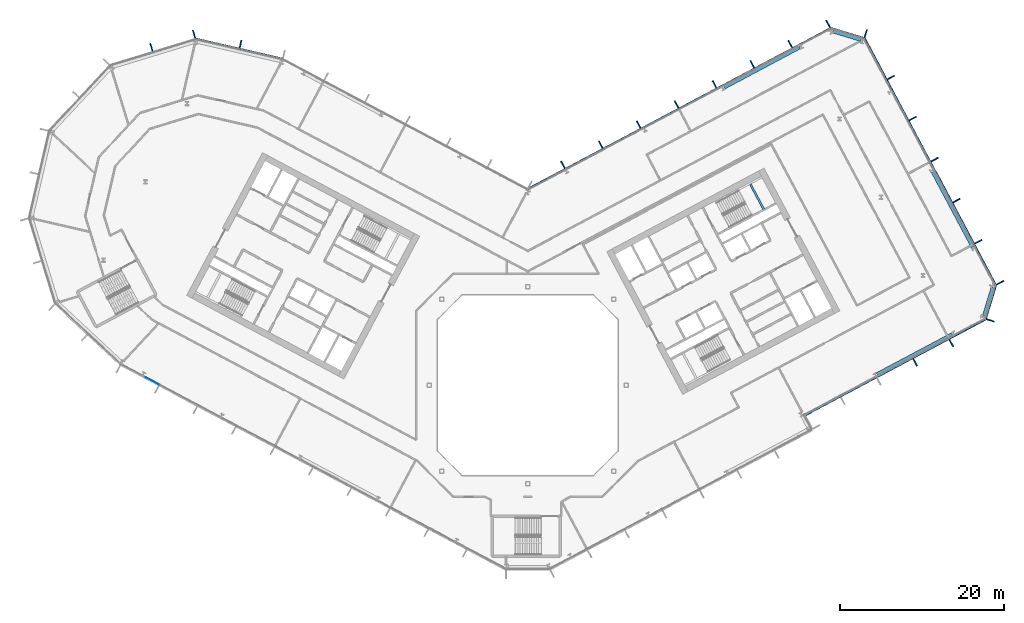
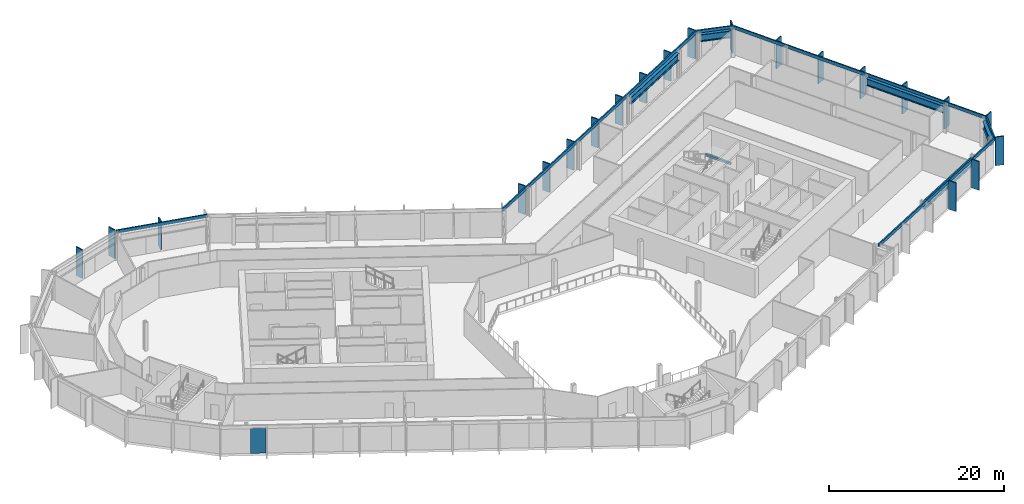
# One storey, part 10 of 28: 27 members, 6 beams, 1 plate, 8 elements without a shape of their own.
"""IFC4 building model written with IfcOpenShell, lengths in metres."""

from ifc_helpers import new_model, si_unit, direction, frame, origin, origin_2d, place, context, subcontext, project, spatial, rectangle, i_section, extrude, material, layer, layer_set, material_profile, profile_set, type_object, element, aggregate, save


model = new_model("IFC4")

# Units and contexts
model_context = context("Model", 3, precision=1e-05, world=origin(), true_north=direction((0.0, 1.0)))
body_context = subcontext(model_context, "Body", "Model", "MODEL_VIEW")
ifc_project = project(units=[si_unit("LENGTHUNIT", "METRE"), si_unit("AREAUNIT", "SQUARE_METRE"), si_unit("VOLUMEUNIT", "CUBIC_METRE"), si_unit("PLANEANGLEUNIT", "RADIAN"), si_unit("MASSUNIT", "GRAM", prefix="KILO")], contexts=[model_context])

# Site, building, storey
site_placement = place(None, origin())
site = spatial("IfcSite", under=ifc_project, at=site_placement, CompositionType="ELEMENT")
building_placement = place(site_placement, origin())
building = spatial("IfcBuilding", under=site, at=building_placement, Name="Cormorant Relay Tower", CompositionType="ELEMENT")
storey_placement = place(building_placement, frame((0.0, 0.0, 158.199951171875)))
storey = spatial("IfcBuildingStorey", under=building, at=storey_placement, Name="L33", CompositionType="ELEMENT", Elevation=158.199951171875)

# Curtain wall, members
ifc_material_1 = material(Name="Aluminium 6063-T6 anodised bronze", Category="aluminium")
ifc_layer_1 = layer(ifc_material_1, 0.199951171875)
ifc_layer_set_1 = layer_set([ifc_layer_1], Name="CW1 unitised bronze curtain wall with vertical fins")
curtain_wall_type = type_object("IfcCurtainWallType", Name="CW1 unitised bronze curtain wall with vertical fins", PredefinedType="NOTDEFINED", material=ifc_layer_set_1)
curtain_wall_1_placement = place(storey_placement, origin())
curtain_wall_1 = element("IfcCurtainWall", 1, at=curtain_wall_1_placement, inside=storey, type_object=curtain_wall_type, Name="CW1 curtain wall 4", PredefinedType="NOTDEFINED")
ifc_material_2 = material(Name="Aluminium 6063-T6 anodised bronze", Category="aluminium")
ifc_material_profile_1 = material_profile(ifc_material_2, rectangle(XDim=0.14990234375, YDim=1.0, at=origin_2d()), Name="AL 150x1000")
ifc_profile_set_1 = profile_set([ifc_material_profile_1], Name="Aluminium 6063-T6 anodised bronze")
member_type_1 = type_object("IfcMemberType", Name="CW1 bronze fin mullion 150 x 1000", PredefinedType="MULLION", material=ifc_profile_set_1)
member_1_placement = place(storey_placement, frame((47.21533203125, 2.793212890625, 0.0), z_axis=(0.0, 0.0, 1.0), x_axis=(0.882947592859, 0.469471562786, 0.0)))
member_1 = element("IfcMember", 2, at=member_1_placement, type_object=member_type_1, Name="CW1 fin 4.4", PredefinedType="MULLION", context=body_context, shape_type="SweptSolid", body=[
    extrude(rectangle(XDim=0.14990234375, YDim=1.0, at=origin_2d()), origin(), (0.0, 0.0, 1.0), 4.0),
])
member_2_placement = place(storey_placement, frame((51.630126953125, 5.140625, 0.0), z_axis=(0.0, 0.0, 1.0), x_axis=(0.882947592859, 0.469471562786, 0.0)))
member_2 = element("IfcMember", 3, at=member_2_placement, type_object=member_type_1, Name="CW1 fin 4.5", PredefinedType="MULLION", context=body_context, shape_type="SweptSolid", body=[
    extrude(rectangle(XDim=0.14990234375, YDim=1.0, at=origin_2d()), origin(), (0.0, 0.0, 1.0), 4.0),
])

# Curtain wall, member
curtain_wall_2_placement = place(storey_placement, origin())
curtain_wall_2 = element("IfcCurtainWall", 4, at=curtain_wall_2_placement, inside=storey, type_object=curtain_wall_type, Name="CW1 curtain wall 5", PredefinedType="NOTDEFINED")
member_3_placement = place(storey_placement, frame((56.385498046875, 7.9013671875, 0.0), z_axis=(0.0, 0.0, 1.0), x_axis=(0.292371704723, 0.956304755963, 0.0)))
member_3 = element("IfcMember", 5, at=member_3_placement, type_object=member_type_1, Name="CW1 fin 5.1", PredefinedType="MULLION", context=body_context, shape_type="SweptSolid", body=[
    extrude(rectangle(XDim=0.14990234375, YDim=1.0, at=origin_2d()), origin(), (0.0, 0.0, 1.0), 4.0),
])

# Curtain wall, members
curtain_wall_3_placement = place(storey_placement, origin())
curtain_wall_3 = element("IfcCurtainWall", 6, at=curtain_wall_3_placement, inside=storey, type_object=curtain_wall_type, Name="CW1 curtain wall 6", PredefinedType="NOTDEFINED")
member_4_placement = place(storey_placement, frame((57.57470703125, 12.491943359375, 0.0), z_axis=(0.0, 0.0, 1.0), x_axis=(-0.469471562786, 0.882947592859, 0.0)))
member_4 = element("IfcMember", 7, at=member_4_placement, type_object=member_type_1, Name="CW1 fin 6.1", PredefinedType="MULLION", context=body_context, shape_type="SweptSolid", body=[
    extrude(rectangle(XDim=0.14990234375, YDim=1.0, at=origin_2d()), origin(), (0.0, 0.0, 1.0), 4.0),
])
member_5_placement = place(storey_placement, frame((54.914306640625, 17.4951171875, 0.0), z_axis=(0.0, 0.0, 1.0), x_axis=(-0.469471562786, 0.882947592859, 0.0)))
member_5 = element("IfcMember", 8, at=member_5_placement, type_object=member_type_1, Name="CW1 fin 6.2", PredefinedType="MULLION", context=body_context, shape_type="SweptSolid", body=[
    extrude(rectangle(XDim=0.14990234375, YDim=1.0, at=origin_2d()), origin(), (0.0, 0.0, 1.0), 4.0),
])
member_6_placement = place(storey_placement, frame((52.25390625, 22.49853515625, 0.0), z_axis=(0.0, 0.0, 1.0), x_axis=(-0.469471562786, 0.882947592859, 0.0)))
member_6 = element("IfcMember", 9, at=member_6_placement, type_object=member_type_1, Name="CW1 fin 6.3", PredefinedType="MULLION", context=body_context, shape_type="SweptSolid", body=[
    extrude(rectangle(XDim=0.14990234375, YDim=1.0, at=origin_2d()), origin(), (0.0, 0.0, 1.0), 4.0),
])
member_7_placement = place(storey_placement, frame((49.59375, 27.501953125, 0.0), z_axis=(0.0, 0.0, 1.0), x_axis=(-0.469471562786, 0.882947592859, 0.0)))
member_7 = element("IfcMember", 10, at=member_7_placement, type_object=member_type_1, Name="CW1 fin 6.4", PredefinedType="MULLION", context=body_context, shape_type="SweptSolid", body=[
    extrude(rectangle(XDim=0.14990234375, YDim=1.0, at=origin_2d()), origin(), (0.0, 0.0, 1.0), 4.0),
])
member_8_placement = place(storey_placement, frame((46.933349609375, 32.50537109375, 0.0), z_axis=(0.0, 0.0, 1.0), x_axis=(-0.469471562786, 0.882947592859, 0.0)))
member_8 = element("IfcMember", 11, at=member_8_placement, type_object=member_type_1, Name="CW1 fin 6.5", PredefinedType="MULLION", context=body_context, shape_type="SweptSolid", body=[
    extrude(rectangle(XDim=0.14990234375, YDim=1.0, at=origin_2d()), origin(), (0.0, 0.0, 1.0), 4.0),
])
member_9_placement = place(storey_placement, frame((44.27294921875, 37.5087890625, 0.0), z_axis=(0.0, 0.0, 1.0), x_axis=(-0.469471562786, 0.882947592859, 0.0)))
member_9 = element("IfcMember", 12, at=member_9_placement, type_object=member_type_1, Name="CW1 fin 6.6", PredefinedType="MULLION", context=body_context, shape_type="SweptSolid", body=[
    extrude(rectangle(XDim=0.14990234375, YDim=1.0, at=origin_2d()), origin(), (0.0, 0.0, 1.0), 4.0),
])

# Curtain wall, member
curtain_wall_4_placement = place(storey_placement, origin())
curtain_wall_4 = element("IfcCurtainWall", 13, at=curtain_wall_4_placement, inside=storey, type_object=curtain_wall_type, Name="CW1 curtain wall 7", PredefinedType="NOTDEFINED")
member_10_placement = place(storey_placement, frame((41.19921875, 42.852783203125, 0.0), z_axis=(0.0, 0.0, 1.0), x_axis=(-0.956304755963, 0.292371704723, 0.0)))
member_10 = element("IfcMember", 14, at=member_10_placement, type_object=member_type_1, Name="CW1 fin 7.1", PredefinedType="MULLION", context=body_context, shape_type="SweptSolid", body=[
    extrude(rectangle(XDim=0.14990234375, YDim=1.0, at=origin_2d()), origin(), (0.0, 0.0, 1.0), 4.0),
])

# Curtain wall, members
curtain_wall_5_placement = place(storey_placement, origin())
curtain_wall_5 = element("IfcCurtainWall", 15, at=curtain_wall_5_placement, inside=storey, type_object=curtain_wall_type, Name="CW1 curtain wall 8", PredefinedType="NOTDEFINED")
member_11_placement = place(storey_placement, frame((36.608642578125, 44.0419921875, 0.0), z_axis=(0.0, 0.0, 1.0), x_axis=(-0.882947592859, -0.469471562786, 0.0)))
member_11 = element("IfcMember", 16, at=member_11_placement, type_object=member_type_1, Name="CW1 fin 8.1", PredefinedType="MULLION", context=body_context, shape_type="SweptSolid", body=[
    extrude(rectangle(XDim=0.14990234375, YDim=1.0, at=origin_2d()), origin(), (0.0, 0.0, 1.0), 4.0),
])
member_12_placement = place(storey_placement, frame((31.991455078125, 41.5869140625, 0.0), z_axis=(0.0, 0.0, 1.0), x_axis=(-0.882947592859, -0.469471562786, 0.0)))
member_12 = element("IfcMember", 17, at=member_12_placement, type_object=member_type_1, Name="CW1 fin 8.2", PredefinedType="MULLION", context=body_context, shape_type="SweptSolid", body=[
    extrude(rectangle(XDim=0.14990234375, YDim=1.0, at=origin_2d()), origin(), (0.0, 0.0, 1.0), 4.0),
])
member_13_placement = place(storey_placement, frame((27.37451171875, 39.132080078125, 0.0), z_axis=(0.0, 0.0, 1.0), x_axis=(-0.882947592859, -0.469471562786, 0.0)))
member_13 = element("IfcMember", 18, at=member_13_placement, type_object=member_type_1, Name="CW1 fin 8.3", PredefinedType="MULLION", context=body_context, shape_type="SweptSolid", body=[
    extrude(rectangle(XDim=0.14990234375, YDim=1.0, at=origin_2d()), origin(), (0.0, 0.0, 1.0), 4.0),
])
member_14_placement = place(storey_placement, frame((22.757080078125, 36.677001953125, 0.0), z_axis=(0.0, 0.0, 1.0), x_axis=(-0.882947592859, -0.469471562786, 0.0)))
member_14 = element("IfcMember", 19, at=member_14_placement, type_object=member_type_1, Name="CW1 fin 8.4", PredefinedType="MULLION", context=body_context, shape_type="SweptSolid", body=[
    extrude(rectangle(XDim=0.14990234375, YDim=1.0, at=origin_2d()), origin(), (0.0, 0.0, 1.0), 4.0),
])
member_15_placement = place(storey_placement, frame((18.139892578125, 34.221923828125, 0.0), z_axis=(0.0, 0.0, 1.0), x_axis=(-0.882947592859, -0.469471562786, 0.0)))
member_15 = element("IfcMember", 20, at=member_15_placement, type_object=member_type_1, Name="CW1 fin 8.5", PredefinedType="MULLION", context=body_context, shape_type="SweptSolid", body=[
    extrude(rectangle(XDim=0.14990234375, YDim=1.0, at=origin_2d()), origin(), (0.0, 0.0, 1.0), 4.0),
])
member_16_placement = place(storey_placement, frame((13.52294921875, 31.76708984375, 0.0), z_axis=(0.0, 0.0, 1.0), x_axis=(-0.882947592859, -0.469471562786, 0.0)))
member_16 = element("IfcMember", 21, at=member_16_placement, type_object=member_type_1, Name="CW1 fin 8.6", PredefinedType="MULLION", context=body_context, shape_type="SweptSolid", body=[
    extrude(rectangle(XDim=0.14990234375, YDim=1.0, at=origin_2d()), origin(), (0.0, 0.0, 1.0), 4.0),
])
member_17_placement = place(storey_placement, frame((8.90576171875, 29.31201171875, 0.0), z_axis=(0.0, 0.0, 1.0), x_axis=(-0.882947592859, -0.469471562786, 0.0)))
member_17 = element("IfcMember", 22, at=member_17_placement, type_object=member_type_1, Name="CW1 fin 8.7", PredefinedType="MULLION", context=body_context, shape_type="SweptSolid", body=[
    extrude(rectangle(XDim=0.14990234375, YDim=1.0, at=origin_2d()), origin(), (0.0, 0.0, 1.0), 4.0),
])
member_18_placement = place(storey_placement, frame((4.28857421875, 26.85693359375, 0.0), z_axis=(0.0, 0.0, 1.0), x_axis=(-0.882947592859, -0.469471562786, 0.0)))
member_18 = element("IfcMember", 23, at=member_18_placement, type_object=member_type_1, Name="CW1 fin 8.8", PredefinedType="MULLION", context=body_context, shape_type="SweptSolid", body=[
    extrude(rectangle(XDim=0.14990234375, YDim=1.0, at=origin_2d()), origin(), (0.0, 0.0, 1.0), 4.0),
])

# Curtain wall, member
curtain_wall_6_placement = place(storey_placement, origin())
curtain_wall_6 = element("IfcCurtainWall", 24, at=curtain_wall_6_placement, inside=storey, type_object=curtain_wall_type, Name="CW1 curtain wall 10", PredefinedType="NOTDEFINED")
member_19_placement = place(storey_placement, frame((-35.01220703125, 41.57275390625, 0.0), z_axis=(0.0, 0.0, 1.0), x_axis=(-0.974370064785, 0.224951054344, 0.0)))
member_19 = element("IfcMember", 25, at=member_19_placement, type_object=member_type_1, Name="CW1 fin 10.2", PredefinedType="MULLION", context=body_context, shape_type="SweptSolid", body=[
    extrude(rectangle(XDim=0.14990234375, YDim=1.0, at=origin_2d()), origin(), (0.0, 0.0, 1.0), 4.0),
])

# Curtain wall, members
curtain_wall_7_placement = place(storey_placement, origin())
curtain_wall_7 = element("IfcCurtainWall", 26, at=curtain_wall_7_placement, inside=storey, type_object=curtain_wall_type, Name="CW1 curtain wall 11", PredefinedType="NOTDEFINED")
member_20_placement = place(storey_placement, frame((-40.670166015625, 42.78271484375, 0.0), z_axis=(0.0, 0.0, 1.0), x_axis=(-0.956304755963, -0.292371704723, 0.0)))
member_20 = element("IfcMember", 27, at=member_20_placement, type_object=member_type_1, Name="CW1 fin 11.1", PredefinedType="MULLION", context=body_context, shape_type="SweptSolid", body=[
    extrude(rectangle(XDim=0.14990234375, YDim=1.0, at=origin_2d()), origin(), (0.0, 0.0, 1.0), 4.0),
])
member_21_placement = place(storey_placement, frame((-45.867919921875, 41.193603515625, 0.0), z_axis=(0.0, 0.0, 1.0), x_axis=(-0.956304755963, -0.292371704723, 0.0)))
member_21 = element("IfcMember", 28, at=member_21_placement, type_object=member_type_1, Name="CW1 fin 11.2", PredefinedType="MULLION", context=body_context, shape_type="SweptSolid", body=[
    extrude(rectangle(XDim=0.14990234375, YDim=1.0, at=origin_2d()), origin(), (0.0, 0.0, 1.0), 4.0),
])
aggregate(curtain_wall_7, [member_20, member_21])

# Member
ifc_material_3 = material(Name="Aluminium 6063-T6 anodised bronze", Category="aluminium")
ifc_material_profile_2 = material_profile(ifc_material_3, rectangle(XDim=0.159912109375, YDim=0.449951171875, at=origin_2d()), Name="AL 160x450")
ifc_profile_set_2 = profile_set([ifc_material_profile_2], Name="Aluminium 6063-T6 anodised bronze")
member_type_2 = type_object("IfcMemberType", Name="CW1 bronze transom 160 x 450", PredefinedType="USERDEFINED", material=ifc_profile_set_2)
member_22_placement = place(storey_placement, frame((33.69873046875, -3.73681640625, 3.775146484375), z_axis=(0.88294749795, 0.469471741284, 0.0), x_axis=(-0.469471741284, 0.88294749795, 0.0)))
member_22 = element("IfcMember", 29, at=member_22_placement, type_object=member_type_2, Name="CW1 transom 4", ObjectType="TRANSOM", PredefinedType="USERDEFINED", context=body_context, shape_type="SweptSolid", body=[
    extrude(rectangle(XDim=0.159912109375, YDim=0.449951171875, at=origin_2d()), origin(), (0.0, 0.0, 1.0), 25.0),
])

aggregate(curtain_wall_1, [member_1, member_2, member_22])

member_23_placement = place(storey_placement, frame((55.830810546875, 8.07080078125, 3.775146484375), z_axis=(0.292374957137, 0.956303761594, 0.0), x_axis=(-0.956303761594, 0.292374957137, 0.0)))
member_23 = element("IfcMember", 30, at=member_23_placement, type_object=member_type_2, Name="CW1 transom 5", ObjectType="TRANSOM", PredefinedType="USERDEFINED", context=body_context, shape_type="SweptSolid", body=[
    extrude(rectangle(XDim=0.159912109375, YDim=0.449951171875, at=origin_2d()), origin(), (0.0, 0.0, 1.0), 4.24267578125),
])

aggregate(curtain_wall_2, [member_3, member_23])

member_24_placement = place(storey_placement, frame((57.0625, 12.219482421875, 3.775146484375), z_axis=(-0.469468277635, 0.882949339597, 0.0), x_axis=(-0.882949339597, -0.469468277635, 0.0)))
member_24 = element("IfcMember", 31, at=member_24_placement, type_object=member_type_2, Name="CW1 transom 6", ObjectType="TRANSOM", PredefinedType="USERDEFINED", context=body_context, shape_type="SweptSolid", body=[
    extrude(rectangle(XDim=0.159912109375, YDim=0.449951171875, at=origin_2d()), origin(), (0.0, 0.0, 1.0), 34.0),
])

aggregate(curtain_wall_3, [member_4, member_5, member_6, member_7, member_8, member_9, member_24])

member_25_placement = place(storey_placement, frame((41.02978515625, 42.298095703125, 3.775146484375), z_axis=(-0.956303761594, 0.292374957137, 0.0), x_axis=(-0.292374957137, -0.956303761594, 0.0)))
member_25 = element("IfcMember", 32, at=member_25_placement, type_object=member_type_2, Name="CW1 transom 7", ObjectType="TRANSOM", PredefinedType="USERDEFINED", context=body_context, shape_type="SweptSolid", body=[
    extrude(rectangle(XDim=0.159912109375, YDim=0.449951171875, at=origin_2d()), origin(), (0.0, 0.0, 1.0), 4.24267578125),
])

aggregate(curtain_wall_4, [member_10, member_25])

member_26_placement = place(storey_placement, frame((36.881103515625, 43.52978515625, 3.775146484375), z_axis=(-0.88294882701, -0.469469241677, 0.0), x_axis=(0.469469241677, -0.88294882701, 0.0)))
member_26 = element("IfcMember", 33, at=member_26_placement, type_object=member_type_2, Name="CW1 transom 8", ObjectType="TRANSOM", PredefinedType="USERDEFINED", context=body_context, shape_type="SweptSolid", body=[
    extrude(rectangle(XDim=0.159912109375, YDim=0.449951171875, at=origin_2d()), origin(), (0.0, 0.0, 1.0), 41.834228515625),
])

aggregate(curtain_wall_5, [member_11, member_12, member_13, member_14, member_15, member_16, member_17, member_18, member_26])

member_27_placement = place(storey_placement, frame((-29.8466796875, 39.784912109375, 3.775146484375), z_axis=(-0.974365070969, 0.224972683844, 0.0), x_axis=(-0.224972683844, -0.974365070969, 0.0)))
member_27 = element("IfcMember", 34, at=member_27_placement, type_object=member_type_2, Name="CW1 transom 10", ObjectType="TRANSOM", PredefinedType="USERDEFINED", context=body_context, shape_type="SweptSolid", body=[
    extrude(rectangle(XDim=0.159912109375, YDim=0.449951171875, at=origin_2d()), origin(), (0.0, 0.0, 1.0), 10.870361328125),
])

aggregate(curtain_wall_6, [member_19, member_27])

# Beams
ifc_material_4 = material(Name="Steel ASTM A992 (Fy 345 MPa)", Category="steel")
ifc_material_profile_3 = material_profile(ifc_material_4, i_section(OverallWidth=0.4013671875, OverallDepth=1.000732421875, WebThickness=0.01904296875, FlangeThickness=0.0361328125, FilletRadius=0.02978515625, at=origin_2d()), Name="W1000x371")
ifc_profile_set_3 = profile_set([ifc_material_profile_3], Name="Steel ASTM A992 (Fy 345 MPa)")
beam_type_1 = type_object("IfcBeamType", Name="Spandrel W1000x371", PredefinedType="SPANDREL", material=ifc_profile_set_3)
beam_1_placement = place(storey_placement, frame((42.5595703125, 1.337890625, 3.1396484375), z_axis=(0.882955922346, 0.469455896963, 0.0), x_axis=(-0.469455896963, 0.882955922346, 0.0)))
element("IfcBeam", 35, at=beam_1_placement, inside=storey, type_object=beam_type_1, Name="Spandrel beam L33-004", PredefinedType="SPANDREL", context=body_context, shape_type="SweptSolid", body=[
    extrude(i_section(OverallWidth=0.4013671875, OverallDepth=1.000732421875, WebThickness=0.01904296875, FlangeThickness=0.0361328125, FilletRadius=0.02978515625, at=origin_2d()), origin(), (0.0, 0.0, 1.0), 10.388427734375),
])
beam_2_placement = place(storey_placement, frame((55.62548828125, 8.495849609375, 3.1396484375), z_axis=(0.29237248799, 0.956304516494, 0.0), x_axis=(-0.956304516494, 0.29237248799, 0.0)))
element("IfcBeam", 36, at=beam_2_placement, inside=storey, type_object=beam_type_1, Name="Spandrel beam L33-005", PredefinedType="SPANDREL", context=body_context, shape_type="SweptSolid", body=[
    extrude(i_section(OverallWidth=0.4013671875, OverallDepth=1.000732421875, WebThickness=0.01904296875, FlangeThickness=0.0361328125, FilletRadius=0.02978515625, at=origin_2d()), origin(), (0.0, 0.0, 1.0), 3.585693359375),
])
beam_3_placement = place(storey_placement, frame((54.24169921875, 16.841796875, 3.1396484375), z_axis=(-0.469474218299, 0.882946180893, 0.0), x_axis=(-0.882946180893, -0.469474218299, 0.0)))
element("IfcBeam", 37, at=beam_3_placement, inside=storey, type_object=beam_type_1, Name="Spandrel beam L33-006", PredefinedType="SPANDREL", context=body_context, shape_type="SweptSolid", body=[
    extrude(i_section(OverallWidth=0.4013671875, OverallDepth=1.000732421875, WebThickness=0.01904296875, FlangeThickness=0.0361328125, FilletRadius=0.02978515625, at=origin_2d()), origin(), (0.0, 0.0, 1.0), 10.388671875),
])
beam_4_placement = place(storey_placement, frame((40.605224609375, 42.0927734375, 3.1396484375), z_axis=(-0.956311914022, 0.292348290742, 0.0), x_axis=(-0.292348290742, -0.956311914022, 0.0)))
element("IfcBeam", 38, at=beam_4_placement, inside=storey, type_object=beam_type_1, Name="Spandrel beam L33-007", PredefinedType="SPANDREL", context=body_context, shape_type="SweptSolid", body=[
    extrude(i_section(OverallWidth=0.4013671875, OverallDepth=1.000732421875, WebThickness=0.01904296875, FlangeThickness=0.0361328125, FilletRadius=0.02978515625, at=origin_2d()), origin(), (0.0, 0.0, 1.0), 3.585205078125),
])
beam_5_placement = place(storey_placement, frame((33.141357421875, 41.17822265625, 3.1396484375), z_axis=(-0.882955922346, -0.469455896963, 0.0), x_axis=(0.469455896963, -0.882955922346, 0.0)))
element("IfcBeam", 39, at=beam_5_placement, inside=storey, type_object=beam_type_1, Name="Spandrel beam L33-008", PredefinedType="SPANDREL", context=body_context, shape_type="SweptSolid", body=[
    extrude(i_section(OverallWidth=0.4013671875, OverallDepth=1.000732421875, WebThickness=0.01904296875, FlangeThickness=0.0361328125, FilletRadius=0.02978515625, at=origin_2d()), origin(), (0.0, 0.0, 1.0), 10.388427734375),
])
ifc_material_5 = material(Name="Concrete 50 MPa", Category="concrete")
ifc_material_profile_4 = material_profile(ifc_material_5, rectangle(XDim=0.25, YDim=0.300048828125, at=origin_2d()), Name="RC 250x300")
ifc_profile_set_4 = profile_set([ifc_material_profile_4], Name="Concrete 50 MPa")
beam_type_2 = type_object("IfcBeamType", Name="Stair landing ledge beam 250x300", PredefinedType="BEAM", material=ifc_profile_set_4)
beam_6_placement = place(storey_placement, frame((28.755126953125, 21.4619140625, 1.650146484375), z_axis=(-0.469463917486, 0.882951657895, 0.0), x_axis=(-0.882951657895, -0.469463917486, 0.0)))
element("IfcBeam", 40, at=beam_6_placement, inside=storey, type_object=beam_type_2, Name="B2 landing ledge beam", PredefinedType="BEAM", context=body_context, shape_type="SweptSolid", body=[
    extrude(rectangle(XDim=0.25, YDim=0.300048828125, at=origin_2d()), origin(), (0.0, 0.0, 1.0), 3.449951171875),
])

# Curtain wall, plate
curtain_wall_8_placement = place(storey_placement, origin())
curtain_wall_8 = element("IfcCurtainWall", 41, at=curtain_wall_8_placement, inside=storey, type_object=curtain_wall_type, Name="CW1 curtain wall 16", PredefinedType="NOTDEFINED")
ifc_material_6 = material(Name="Tinted laminated glass", Category="glass")
ifc_layer_2 = layer(ifc_material_6, 0.0400390625)
ifc_layer_set_2 = layer_set([ifc_layer_2], Name="CW1 tinted vision panel 1800 module")
plate_type = type_object("IfcPlateType", Name="CW1 tinted vision panel 1800 module", PredefinedType="CURTAIN_PANEL", material=ifc_layer_set_2)
plate_placement = place(storey_placement, frame((-45.767578125, 0.5283203125, 0.0), z_axis=(0.0, 0.0, 1.0), x_axis=(0.882947592859, -0.469471562786, 0.0)))
plate = element("IfcPlate", 42, at=plate_placement, type_object=plate_type, Name="CW1 panel V01", PredefinedType="CURTAIN_PANEL", context=body_context, shape_type="SweptSolid", body=[
    extrude(rectangle(XDim=1.800048828125, YDim=0.0400390625, at=origin_2d()), origin(), (0.0, 0.0, 1.0), 3.550048828125),
])
aggregate(curtain_wall_8, [plate])

save(model, "model.ifc")
